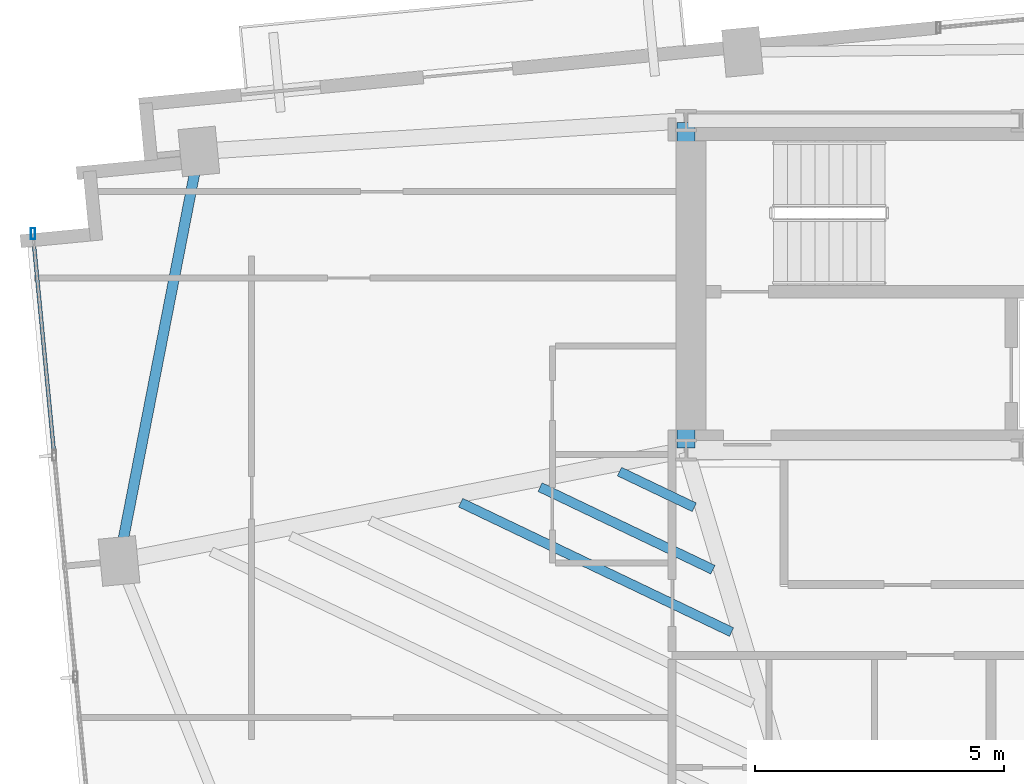
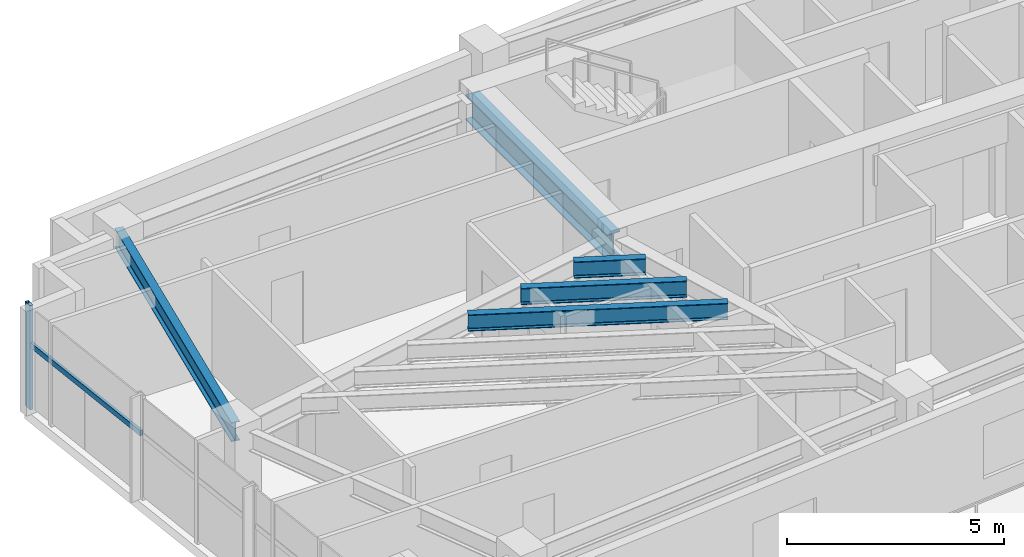
# One storey, part 3 of 18: 5 beams, 2 members, 1 element without a shape of its own.
"""IFC4 building model written with IfcOpenShell, lengths in metres."""

from ifc_helpers import new_model, si_unit, direction, frame, origin, origin_2d, place, context, subcontext, project, spatial, hollow_rectangle, i_section, extrude, source, transform, mapped, material, material_profile, profile_set, type_object, type_shapes, element, aggregate, save


model = new_model("IFC4")

# Units and contexts
model_context = context("Model", 3, precision=1e-05, world=origin(), true_north=direction((0.0, 1.0)))
body_context = subcontext(model_context, "Body", "Model", "MODEL_VIEW")
ifc_project = project(units=[si_unit("LENGTHUNIT", "METRE"), si_unit("AREAUNIT", "SQUARE_METRE"), si_unit("VOLUMEUNIT", "CUBIC_METRE"), si_unit("PLANEANGLEUNIT", "RADIAN"), si_unit("MASSUNIT", "GRAM", prefix="KILO")], contexts=[model_context])

# Site, building, storey
site_placement = place(None, origin())
site = spatial("IfcSite", under=ifc_project, at=site_placement, CompositionType="ELEMENT")
building_placement = place(site_placement, origin())
building = spatial("IfcBuilding", under=site, at=building_placement, Name="Astriad Promenade Condominiums", CompositionType="ELEMENT")
storey_placement = place(building_placement, frame((0.0, 0.0, 192.199951171875)))
storey = spatial("IfcBuildingStorey", under=building, at=storey_placement, Name="L55", CompositionType="ELEMENT", Elevation=192.199951171875)

# Beams
ifc_material_1 = material(Name="Steel ASTM A992 Grade 50", Category="steel")
ifc_material_profile_1 = material_profile(ifc_material_1, i_section(OverallWidth=0.35791015625, OverallDepth=0.706298828125, WebThickness=0.018310546875, FlangeThickness=0.0302734375, FilletRadius=0.020263671875, at=origin_2d()), Name="W27X178")
ifc_profile_set_1 = profile_set([ifc_material_profile_1], Name="Steel ASTM A992 Grade 50")
beam_type_1 = type_object("IfcBeamType", Name="STEEL FLOOR GIRDER W27X178", PredefinedType="BEAM", material=ifc_profile_set_1)
shared_shape_1 = source(origin(), body_context, "Body", "SweptSolid", [
    extrude(i_section(OverallWidth=0.35791015625, OverallDepth=0.706298828125, WebThickness=0.018310546875, FlangeThickness=0.0302734375, FilletRadius=0.020263671875, at=origin_2d()), origin(), (0.0, 0.0, 1.0), 6.52001953125),
])
type_shapes(beam_type_1, [shared_shape_1])
beam_1_placement = place(storey_placement, frame((26.39990234375, 17.43994140625, 2.5869140625), z_axis=(0.0, 1.0, 0.0), x_axis=(-1.0, 0.0, 0.0)))
element("IfcBeam", 1, at=beam_1_placement, inside=storey, type_object=beam_type_1, Name="Core Ring Beam CG-W1-L55", PredefinedType="BEAM", context=body_context, shape_type="MappedRepresentation", body=[
    mapped(shared_shape_1, transform((0.0, 0.0, 0.0), scale=1.0)),
])
ifc_material_profile_2 = material_profile(ifc_material_1, i_section(OverallWidth=0.210693359375, OverallDepth=0.53955078125, WebThickness=0.01171875, FlangeThickness=0.018798828125, FilletRadius=0.0166015625, at=origin_2d()), Name="W21X73")
ifc_profile_set_2 = profile_set([ifc_material_profile_2], Name="Steel ASTM A992 Grade 50")
beam_type_2 = type_object("IfcBeamType", Name="STEEL SPANDREL BEAM W21X73", PredefinedType="SPANDREL", material=ifc_profile_set_2)
shared_shape_2 = source(origin(), body_context, "Body", "SweptSolid", [
    extrude(i_section(OverallWidth=0.210693359375, OverallDepth=0.53955078125, WebThickness=0.01171875, FlangeThickness=0.018798828125, FilletRadius=0.0166015625, at=origin_2d()), origin(), (0.0, 0.0, 1.0), 8.28564453125),
])
type_shapes(beam_type_2, [shared_shape_2])
beam_2_placement = place(storey_placement, frame((16.62451171875, 23.3447265625, 2.670166015625), z_axis=(-0.191291582099, -0.981533254973, 0.0), x_axis=(0.981533254973, -0.191291582099, 0.0)))
element("IfcBeam", 2, at=beam_2_placement, inside=storey, type_object=beam_type_2, Name="Perimeter Spandrel Beam SP-W2-L55", PredefinedType="SPANDREL", context=body_context, shape_type="MappedRepresentation", body=[
    mapped(shared_shape_2, transform((0.0, 0.0, 0.0), scale=1.0)),
])
ifc_material_profile_3 = material_profile(ifc_material_1, i_section(OverallWidth=0.19287109375, OverallDepth=0.466064453125, WebThickness=0.011474609375, FlangeThickness=0.01904296875, FilletRadius=0.01513671875, at=origin_2d()), Name="W18X65")
ifc_profile_set_3 = profile_set([ifc_material_profile_3], Name="Steel ASTM A992 Grade 50")
beam_type_3 = type_object("IfcBeamType", Name="STEEL FLOOR JOIST W18X65", PredefinedType="JOIST", material=ifc_profile_set_3)
shared_shape_3 = source(origin(), body_context, "Body", "SweptSolid", [
    extrude(i_section(OverallWidth=0.19287109375, OverallDepth=0.466064453125, WebThickness=0.011474609375, FlangeThickness=0.01904296875, FilletRadius=0.01513671875, at=origin_2d()), origin(), (0.0, 0.0, 1.0), 6.01904296875),
])
beam_3_placement = place(storey_placement, frame((21.882080078125, 16.342041015625, 2.70703125), z_axis=(0.902329759838, -0.431046406446, 0.0), x_axis=(0.431046406446, 0.902329759838, 0.0)))
element("IfcBeam", 3, at=beam_3_placement, inside=storey, type_object=beam_type_3, Name="Secondary Composite Floor Joist JW1-4-L55", PredefinedType="JOIST", context=body_context, shape_type="MappedRepresentation", body=[
    mapped(shared_shape_3, transform((0.0, 0.0, 0.0), scale=1.0)),
])
shared_shape_4 = source(origin(), body_context, "Body", "SweptSolid", [
    extrude(i_section(OverallWidth=0.19287109375, OverallDepth=0.466064453125, WebThickness=0.011474609375, FlangeThickness=0.01904296875, FilletRadius=0.01513671875, at=origin_2d()), origin(), (0.0, 0.0, 1.0), 3.84130859375),
])
beam_4_placement = place(storey_placement, frame((23.473388671875, 16.65380859375, 2.70703125), z_axis=(0.902328811953, -0.431048390693, 0.0), x_axis=(0.431048390693, 0.902328811953, 0.0)))
element("IfcBeam", 4, at=beam_4_placement, inside=storey, type_object=beam_type_3, Name="Secondary Composite Floor Joist JW1-5-L55", PredefinedType="JOIST", context=body_context, shape_type="MappedRepresentation", body=[
    mapped(shared_shape_4, transform((0.0, 0.0, 0.0), scale=1.0)),
])
shared_shape_5 = source(origin(), body_context, "Body", "SweptSolid", [
    extrude(i_section(OverallWidth=0.19287109375, OverallDepth=0.466064453125, WebThickness=0.011474609375, FlangeThickness=0.01904296875, FilletRadius=0.01513671875, at=origin_2d()), origin(), (0.0, 0.0, 1.0), 1.6630859375),
])
type_shapes(beam_type_3, [shared_shape_3, shared_shape_4, shared_shape_5])
beam_5_placement = place(storey_placement, frame((25.065185546875, 16.965576171875, 2.70703125), z_axis=(0.902355200591, -0.430993146077, 0.0), x_axis=(0.430993146077, 0.902355200591, 0.0)))
element("IfcBeam", 5, at=beam_5_placement, inside=storey, type_object=beam_type_3, Name="Secondary Composite Floor Joist JW1-6-L55", PredefinedType="JOIST", context=body_context, shape_type="MappedRepresentation", body=[
    mapped(shared_shape_5, transform((0.0, 0.0, 0.0), scale=1.0)),
])

# Curtain wall, members
ifc_material_2 = material(Name="Anodised aluminium Black Dark Glass Unitised", Category="aluminium")
curtain_wall_type = type_object("IfcCurtainWallType", Name="CW-B34-DARK", PredefinedType="USERDEFINED", material=ifc_material_2)
curtain_wall_placement = place(storey_placement, origin())
curtain_wall = element("IfcCurtainWall", 6, at=curtain_wall_placement, inside=storey, type_object=curtain_wall_type, Name="CW-L55-W", ObjectType="UNITISED_CURTAIN_WALL", PredefinedType="USERDEFINED")
ifc_material_3 = material(Name="Anodised aluminium 6063-T6 Black", Category="aluminium")
ifc_material_profile_4 = material_profile(ifc_material_3, hollow_rectangle(XDim=0.0849609375, YDim=0.219970703125, WallThickness=0.0048828125, at=origin_2d()), Name="ALU-MUL-85X220")
ifc_profile_set_4 = profile_set([ifc_material_profile_4], Name="Anodised aluminium 6063-T6 Black")
member_type_1 = type_object("IfcMemberType", Name="MUL-ALU-MUL-85X220", PredefinedType="MULLION", material=ifc_profile_set_4)
shared_shape_6 = source(origin(), body_context, "Body", "SweptSolid", [
    extrude(hollow_rectangle(XDim=0.0849609375, YDim=0.219970703125, WallThickness=0.0048828125, at=origin_2d()), origin(), (0.0, 0.0, 1.0), 2.93994140625),
])
type_shapes(member_type_1, [shared_shape_6])
member_1_placement = place(storey_placement, frame((13.3046875, 21.737548828125, 0.0), z_axis=(0.0, 0.0, 1.0), x_axis=(1.0, 0.0, 0.0)))
member_1 = element("IfcMember", 7, at=member_1_placement, type_object=member_type_1, Name="CW-L55-W-MUL-03", PredefinedType="MULLION", context=body_context, shape_type="MappedRepresentation", body=[
    mapped(shared_shape_6, transform((0.0, 0.0, 0.0), scale=1.0)),
])
ifc_material_profile_5 = material_profile(ifc_material_3, hollow_rectangle(XDim=0.074951171875, YDim=0.14990234375, WallThickness=0.004150390625, at=origin_2d()), Name="ALU-TRN-75X150")
ifc_profile_set_5 = profile_set([ifc_material_profile_5], Name="Anodised aluminium 6063-T6 Black")
member_type_2 = type_object("IfcMemberType", Name="TRN-ALU-TRN-75X150", PredefinedType="USERDEFINED", material=ifc_profile_set_5)
shared_shape_7 = source(origin(), body_context, "Body", "SweptSolid", [
    extrude(hollow_rectangle(XDim=0.074951171875, YDim=0.14990234375, WallThickness=0.004150390625, at=origin_2d()), origin(), (0.0, 0.0, 1.0), 4.466552734375),
])
type_shapes(member_type_2, [shared_shape_7])
member_2_placement = place(storey_placement, frame((13.732666015625, 17.29150390625, 1.82275390625), z_axis=(-0.095817598554, 0.995398908884, 0.0), x_axis=(-0.995398908884, -0.095817598554, 0.0)))
member_2 = element("IfcMember", 8, at=member_2_placement, type_object=member_type_2, Name="CW-L55-W-TRN-02-0", ObjectType="TRANSOM", PredefinedType="USERDEFINED", context=body_context, shape_type="MappedRepresentation", body=[
    mapped(shared_shape_7, transform((0.0, 0.0, 0.0), scale=1.0)),
])
aggregate(curtain_wall, [member_1, member_2])

save(model, "model.ifc")
